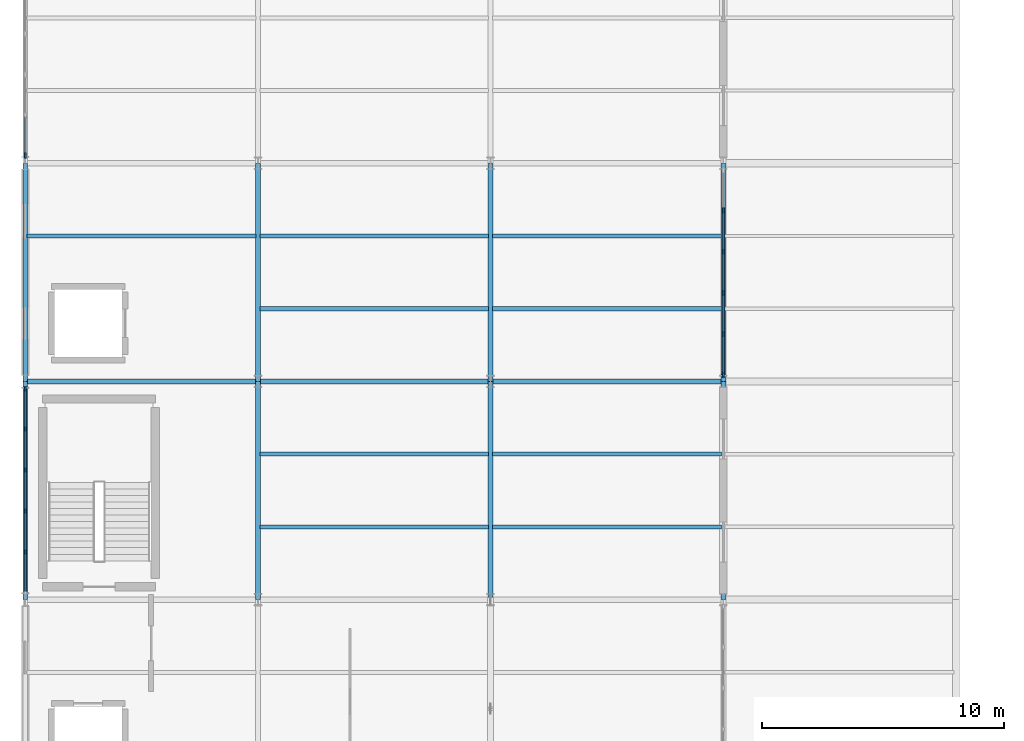
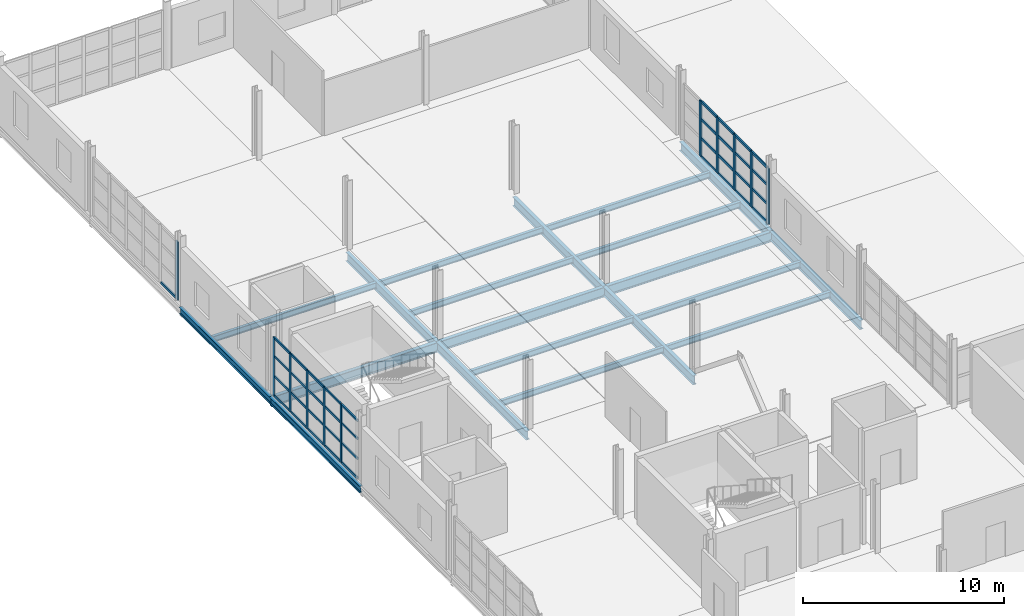
# One storey, part 20 of 82: 48 members, 20 beams, 3 elements without a shape of their own.
"""IFC4 building model written with IfcOpenShell, lengths in metres."""

import ifcopenshell
import ifcopenshell.guid

model = None  # the IFC model being written
_history = None  # IfcOwnerHistory: only IFC2X3 demands one
_inside = {}  # id of a spatial element -> (the spatial element, [elements in it])
_under = {}  # id of a project, library or spatial element -> (it, [spatial elements below it])
_declared = {}  # id of a project -> (the project, [libraries it declares])
_typed = {}  # id of a type object -> (the type object, [elements of that type])
_made_of = {}  # id of a material, layer set ... -> (it, [elements and type objects made of it])


def new_model(schema):
    """Start an empty IFC model of exactly this schema.

    Asked for "IFC4X3", IfcOpenShell would pick the latest addendum, in which some entities
    have other attributes; the version numbers below select the first issue.
    IFC2X3 requires an IfcOwnerHistory on every rooted entity: one is made here for all.
    """
    global model, _history
    if schema == "IFC4X3":
        model = ifcopenshell.file(schema_version=(4, 3, 0, 0))
    else:
        model = ifcopenshell.file(schema=schema)
    _inside.clear()
    _under.clear()
    _declared.clear()
    _typed.clear()
    _made_of.clear()
    _history = None
    if model.schema == "IFC2X3":
        org = make("IfcOrganization", Name="unknown")
        user = make(
            "IfcPersonAndOrganization",
            ThePerson=make("IfcPerson", FamilyName="unknown"),
            TheOrganization=org,
        )
        app = make(
            "IfcApplication",
            ApplicationDeveloper=org,
            Version="unknown",
            ApplicationFullName="unknown",
            ApplicationIdentifier="unknown",
        )
        _history = make(
            "IfcOwnerHistory",
            OwningUser=user,
            OwningApplication=app,
            ChangeAction="ADDED",
            CreationDate=0,
        )
    return model


def make(cls, **values):
    """One entity of the class cls with the attributes given. An attribute that is None is left unset."""
    return model.create_entity(
        cls, **{name: value for name, value in values.items() if value is not None}
    )


def rooted(cls, **values):
    """An entity with a GlobalId (a new one), such as an element, a storey or a relation."""
    return make(cls, GlobalId=ifcopenshell.guid.new(), OwnerHistory=_history, **values)


def si_unit(unit_type, name, prefix=None):
    """IfcSIUnit, for example si_unit("LENGTHUNIT", "METRE", prefix="MILLI")."""
    return make("IfcSIUnit", UnitType=unit_type, Prefix=prefix, Name=name)


def assignment(units):
    """IfcUnitAssignment: the units of a project."""
    return None if units is None else make("IfcUnitAssignment", Units=units)


def point(xyz):
    """IfcCartesianPoint."""
    return None if xyz is None else make("IfcCartesianPoint", Coordinates=xyz)


def direction(xyz):
    """IfcDirection."""
    return None if xyz is None else make("IfcDirection", DirectionRatios=xyz)


def frame(location, z_axis=None, x_axis=None):
    """IfcAxis2Placement3D, a coordinate frame: its origin and axes. An axis left out is left unset."""
    return make(
        "IfcAxis2Placement3D",
        Location=point(location),
        Axis=direction(z_axis),
        RefDirection=direction(x_axis),
    )


def frame_2d(location, x_axis=None):
    """IfcAxis2Placement2D, a coordinate frame in the plane: its origin and x axis."""
    return make(
        "IfcAxis2Placement2D", Location=point(location), RefDirection=direction(x_axis)
    )


def origin():
    """The frame at (0, 0, 0) with its axes left unset."""
    return frame((0.0, 0.0, 0.0))


def origin_2d():
    """The frame at (0, 0) in the plane with its x axis left unset."""
    return frame_2d((0.0, 0.0))


def place(relative_to, where):
    """IfcLocalPlacement: puts the frame where relative to a parent placement (None: the world)."""
    return make(
        "IfcLocalPlacement", PlacementRelTo=relative_to, RelativePlacement=where
    )


def context(
    kind, dimensions, precision=None, world=None, true_north=None, identifier=None
):
    """IfcGeometricRepresentationContext, for example the 3D "Model" context."""
    return make(
        "IfcGeometricRepresentationContext",
        ContextIdentifier=identifier,
        ContextType=kind,
        CoordinateSpaceDimension=dimensions,
        Precision=precision,
        WorldCoordinateSystem=world,
        TrueNorth=true_north,
    )


def subcontext(parent, identifier, kind, view, scale=None):
    """IfcGeometricRepresentationSubContext, for example "Body" below "Model"."""
    return make(
        "IfcGeometricRepresentationSubContext",
        ContextIdentifier=identifier,
        ContextType=kind,
        ParentContext=parent,
        TargetScale=scale,
        TargetView=view,
    )


def project(units=None, contexts=None):
    """IfcProject with its units and contexts."""
    return rooted(
        "IfcProject",
        Name="project",
        RepresentationContexts=contexts,
        UnitsInContext=assignment(units),
    )


def spatial(cls, under=None, at=None, **own):
    """A site, building, storey or space (cls), placed at a placement, below another one or the project."""
    s = rooted(cls, ObjectPlacement=at, **own)
    if under is not None:
        _under.setdefault(under.id(), (under, []))[1].append(s)
    return s


def profile(cls, at=None, kind="AREA", **sizes):
    """A parametric profile (cls). Its sizes go by their IFC names, for example OverallWidth=200.0."""
    return make(cls, ProfileType=kind, Position=at, **sizes)


def rectangle(**sizes):
    """IfcRectangleProfileDef."""
    return profile("IfcRectangleProfileDef", **sizes)


def i_section(**sizes):
    """IfcIShapeProfileDef."""
    return profile("IfcIShapeProfileDef", **sizes)


def extrude(swept, where, along, depth):
    """IfcExtrudedAreaSolid: the profile swept, set in the frame where, extruded along a direction by depth."""
    return make(
        "IfcExtrudedAreaSolid",
        SweptArea=swept,
        Position=where,
        ExtrudedDirection=direction(along),
        Depth=depth,
    )


def shape(context_of_items, identifier, shape_type, items):
    """IfcShapeRepresentation: the items that make up one representation, for example the "Body"."""
    return make(
        "IfcShapeRepresentation",
        ContextOfItems=context_of_items,
        RepresentationIdentifier=identifier,
        RepresentationType=shape_type,
        Items=items,
    )


def material(Name=None, Category=None):
    """IfcMaterial."""
    return make("IfcMaterial", Name=Name, Category=Category)


def layer(
    of_material, thickness, ventilated=None, Name=None, Category=None, Priority=None
):
    """IfcMaterialLayer: one layer of a wall or slab, of a material (None: an air gap)."""
    return make(
        "IfcMaterialLayer",
        Material=of_material,
        LayerThickness=thickness,
        IsVentilated=ventilated,
        Name=Name,
        Category=Category,
        Priority=Priority,
    )


def layer_set(layers, Name=None):
    """IfcMaterialLayerSet."""
    return make("IfcMaterialLayerSet", MaterialLayers=layers, LayerSetName=Name)


def material_profile(
    of_material, cross_section, Name=None, Category=None, Priority=None
):
    """IfcMaterialProfile: a cross section and its material."""
    return make(
        "IfcMaterialProfile",
        Name=Name,
        Material=of_material,
        Profile=cross_section,
        Priority=Priority,
        Category=Category,
    )


def profile_set(profiles, Name=None, composite=None):
    """IfcMaterialProfileSet."""
    return make(
        "IfcMaterialProfileSet",
        Name=Name,
        MaterialProfiles=profiles,
        CompositeProfile=composite,
    )


def made_of(thing, what):
    """Note that an element or type object is made of a material, layer set ...; save() writes the relation."""
    if what is not None:
        _made_of.setdefault(what.id(), (what, []))[1].append(thing)
    return thing


def type_object(cls, material=None, **own):
    """A type object (cls), such as IfcWallType, which elements share."""
    return made_of(rooted(cls, **own), material)


def element(
    cls,
    number,
    at=None,
    inside=None,
    cuts=None,
    type_object=None,
    material=None,
    context=None,
    identifier="Body",
    shape_type=None,
    held_by="IfcProductDefinitionShape",
    body=None,
    shapes=None,
    **own,
):
    """One element of the class cls, such as IfcWall. Its Tag is "e" and its number.

    at: its placement. inside: the storey or other place that contains it. cuts: it is an
    opening in that element (IfcRelVoidsElement). A single representation is given by context,
    identifier, shape_type and body (its items); several are given by shapes. held_by: the class
    of the entity that holds the representations. save() writes the other relations.
    """
    e = rooted(cls, Tag="e%d" % number, ObjectPlacement=at, **own)
    if body is not None:
        shapes = [shape(context, identifier, shape_type, body)]
    if shapes is not None:
        e.Representation = make(held_by, Representations=shapes)
    if inside is not None:
        _inside.setdefault(inside.id(), (inside, []))[1].append(e)
    if cuts is not None:
        rooted(
            "IfcRelVoidsElement", RelatingBuildingElement=cuts, RelatedOpeningElement=e
        )
    if type_object is not None:
        _typed.setdefault(type_object.id(), (type_object, []))[1].append(e)
    return made_of(e, material)


def aggregate(whole, parts):
    """IfcRelAggregates: a whole, such as a stair, and the parts it consists of."""
    return rooted("IfcRelAggregates", RelatingObject=whole, RelatedObjects=parts)


def save(model, path):
    """Write the relations noted so far, then the file.

    IfcRelAggregates (storeys below a building ...), IfcRelContainedInSpatialStructure (elements
    in a storey), IfcRelDefinesByType, IfcRelAssociatesMaterial and IfcRelDeclares: one each for
    every whole, place, type object, material and project.
    """
    for whole, parts in _under.values():
        aggregate(whole, parts)
    for where, things in _inside.values():
        rooted(
            "IfcRelContainedInSpatialStructure",
            RelatedElements=things,
            RelatingStructure=where,
        )
    for kind, things in _typed.values():
        rooted("IfcRelDefinesByType", RelatedObjects=things, RelatingType=kind)
    for what, things in _made_of.values():
        rooted("IfcRelAssociatesMaterial", RelatedObjects=things, RelatingMaterial=what)
    for by, libraries in _declared.values():
        rooted("IfcRelDeclares", RelatingContext=by, RelatedDefinitions=libraries)
    model.write(path)


model = new_model("IFC4")

# Units and contexts
model_context = context("Model", 3, precision=1e-05, world=origin(), true_north=direction((0.0, 1.0)))
body_context = subcontext(model_context, "Body", "Model", "MODEL_VIEW")
ifc_project = project(units=[si_unit("LENGTHUNIT", "METRE"), si_unit("AREAUNIT", "SQUARE_METRE"), si_unit("VOLUMEUNIT", "CUBIC_METRE"), si_unit("PLANEANGLEUNIT", "RADIAN"), si_unit("MASSUNIT", "GRAM", prefix="KILO")], contexts=[model_context])

# Site, building, storey
site_placement = place(None, origin())
site = spatial("IfcSite", under=ifc_project, at=site_placement, CompositionType="ELEMENT")
building_placement = place(site_placement, origin())
building = spatial("IfcBuilding", under=site, at=building_placement, Name="Zarnetskaya Central Station", CompositionType="ELEMENT")
storey_placement = place(building_placement, frame((0.0, 0.0, 10.199951171875)))
storey = spatial("IfcBuildingStorey", under=building, at=storey_placement, Name="L02", CompositionType="ELEMENT", Elevation=10.199951171875)

# Beams
ifc_material_1 = material(Name="Steel S355", Category="steel")
ifc_material_profile_1 = material_profile(ifc_material_1, i_section(OverallWidth=0.169921875, OverallDepth=0.360107421875, WebThickness=0.008056640625, FlangeThickness=0.0126953125, FilletRadius=0.01806640625, at=origin_2d()), Name="IPE 360")
ifc_profile_set_1 = profile_set([ifc_material_profile_1], Name="Steel S355")
beam_type_1 = type_object("IfcBeamType", Name="BM-SEC-360", PredefinedType="BEAM", material=ifc_profile_set_1)
beam_1_placement = place(storey_placement, frame((0.080078125, 46.199951171875, -0.43994140625), z_axis=(1.0, 0.0, 0.0), x_axis=(0.0, 1.0, 0.0)))
element("IfcBeam", 1, at=beam_1_placement, inside=storey, type_object=beam_type_1, Name="Secondary floor beam SEC-L02-Z994-AB-67-2", PredefinedType="BEAM", context=body_context, shape_type="SweptSolid", body=[
    extrude(i_section(OverallWidth=0.169921875, OverallDepth=0.360107421875, WebThickness=0.008056640625, FlangeThickness=0.0126953125, FilletRadius=0.01806640625, at=origin_2d()), origin(), (0.0, 0.0, 1.0), 9.43994140625),
])
for number, where, z_axis, x_axis, name in (
    (2, (9.679931640625, 34.199951171875, -0.43994140625), (1.0, 0.0, 0.0), (0.0, 1.0, 0.0), "Secondary floor beam SEC-L02-Z994-BC-56-1"),
    (3, (9.679931640625, 37.199951171875, -0.43994140625), (1.0, 0.0, 0.0), (0.0, 1.0, 0.0), "Secondary floor beam SEC-L02-Z994-BC-56-2"),
    (4, (9.679931640625, 43.199951171875, -0.43994140625), (1.0, 0.0, 0.0), (0.0, 1.0, 0.0), "Secondary floor beam SEC-L02-Z994-BC-67-1"),
    (5, (9.679931640625, 46.199951171875, -0.43994140625), (1.0, 0.0, 0.0), (0.0, 1.0, 0.0), "Secondary floor beam SEC-L02-Z994-BC-67-2"),
):
    element("IfcBeam", number, at=place(storey_placement, frame(where, z_axis=z_axis, x_axis=x_axis)), inside=storey, type_object=beam_type_1, Name=name, PredefinedType="BEAM", context=body_context, shape_type="SweptSolid", body=[
        extrude(i_section(OverallWidth=0.169921875, OverallDepth=0.360107421875, WebThickness=0.008056640625, FlangeThickness=0.0126953125, FilletRadius=0.01806640625, at=origin_2d()), origin(), (0.0, 0.0, 1.0), 9.440185546875),
    ])
for number, where, z_axis, x_axis, name in (
    (6, (19.280029296875, 34.199951171875, -0.43994140625), (1.0, 0.0, 0.0), (0.0, 1.0, 0.0), "Secondary floor beam SEC-L02-Z994-CD-56-1"),
    (7, (19.280029296875, 37.199951171875, -0.43994140625), (1.0, 0.0, 0.0), (0.0, 1.0, 0.0), "Secondary floor beam SEC-L02-Z994-CD-56-2"),
    (8, (19.280029296875, 43.199951171875, -0.43994140625), (1.0, 0.0, 0.0), (0.0, 1.0, 0.0), "Secondary floor beam SEC-L02-Z994-CD-67-1"),
    (9, (19.280029296875, 46.199951171875, -0.43994140625), (1.0, 0.0, 0.0), (0.0, 1.0, 0.0), "Secondary floor beam SEC-L02-Z994-CD-67-2"),
):
    element("IfcBeam", number, at=place(storey_placement, frame(where, z_axis=z_axis, x_axis=x_axis)), inside=storey, type_object=beam_type_1, Name=name, PredefinedType="BEAM", context=body_context, shape_type="SweptSolid", body=[
        extrude(i_section(OverallWidth=0.169921875, OverallDepth=0.360107421875, WebThickness=0.008056640625, FlangeThickness=0.0126953125, FilletRadius=0.01806640625, at=origin_2d()), origin(), (0.0, 0.0, 1.0), 9.43994140625),
    ])
ifc_material_profile_2 = material_profile(ifc_material_1, i_section(OverallWidth=0.179931640625, OverallDepth=0.39990234375, WebThickness=0.008544921875, FlangeThickness=0.013427734375, FilletRadius=0.02099609375, at=origin_2d()), Name="IPE 400")
ifc_profile_set_2 = profile_set([ifc_material_profile_2], Name="Steel S355")
beam_type_2 = type_object("IfcBeamType", Name="BM-SPN-V5", PredefinedType="SPANDREL", material=ifc_profile_set_2)
for number, where, z_axis, x_axis, name in (
    (10, (0.0, 31.199951171875, -0.4599609375), (0.0, 1.0, 0.0), (-1.0, 0.0, 0.0), "Grid girder GY-L02-A-56"),
    (11, (0.0, 40.199951171875, -0.4599609375), (0.0, 1.0, 0.0), (-1.0, 0.0, 0.0), "Grid girder GY-L02-A-67"),
):
    element("IfcBeam", number, at=place(storey_placement, frame(where, z_axis=z_axis, x_axis=x_axis)), inside=storey, type_object=beam_type_2, Name=name, PredefinedType="SPANDREL", context=body_context, shape_type="SweptSolid", body=[
        extrude(i_section(OverallWidth=0.179931640625, OverallDepth=0.39990234375, WebThickness=0.008544921875, FlangeThickness=0.013427734375, FilletRadius=0.02099609375, at=origin_2d()), origin(), (0.0, 0.0, 1.0), 9.0),
    ])

# Curtain wall, members
ifc_material_2 = material(Name="Low-E insulated glass", Category="glass")
ifc_layer_1 = layer(ifc_material_2, 0.16796875, Name="Low-E insulated glass", Category="glass")
ifc_layer_set_1 = layer_set([ifc_layer_1], Name="Low-E insulated glass")
curtain_wall_type_1 = type_object("IfcCurtainWallType", Name="CW-SYS-08", PredefinedType="USERDEFINED", material=ifc_layer_set_1)
curtain_wall_1_placement = place(storey_placement, origin())
curtain_wall_1 = element("IfcCurtainWall", 12, at=curtain_wall_1_placement, inside=storey, type_object=curtain_wall_type_1, Name="Curtain wall CW-L02-017", ObjectType="CURTAIN WALL", PredefinedType="USERDEFINED")
ifc_material_3 = material(Name="Anodised aluminium", Category="aluminium")
ifc_material_profile_3 = material_profile(ifc_material_3, rectangle(XDim=0.070068359375, YDim=0.179931640625, at=origin_2d()), Name="ALU MULL 70x180")
ifc_profile_set_3 = profile_set([ifc_material_profile_3], Name="Anodised aluminium")
member_type_1 = type_object("IfcMemberType", Name="CW-MULL-180", PredefinedType="MULLION", material=ifc_profile_set_3)
member_1_placement = place(storey_placement, frame((0.0, 33.1650390625, 0.0), z_axis=(0.0, 0.0, 1.0), x_axis=(-1.0, 0.0, 0.0)))
member_1 = element("IfcMember", 13, at=member_1_placement, type_object=member_type_1, Name="CW-16 mullion 2", PredefinedType="MULLION", context=body_context, shape_type="SweptSolid", body=[
    extrude(rectangle(XDim=0.070068359375, YDim=0.179931640625, at=origin_2d()), origin(), (0.0, 0.0, 1.0), 3.550048828125),
])
member_2_placement = place(storey_placement, frame((0.0, 34.85498046875, 0.0), z_axis=(0.0, 0.0, 1.0), x_axis=(-1.0, 0.0, 0.0)))
member_2 = element("IfcMember", 14, at=member_2_placement, type_object=member_type_1, Name="CW-16 mullion 3", PredefinedType="MULLION", context=body_context, shape_type="SweptSolid", body=[
    extrude(rectangle(XDim=0.070068359375, YDim=0.179931640625, at=origin_2d()), origin(), (0.0, 0.0, 1.0), 3.550048828125),
])
member_3_placement = place(storey_placement, frame((0.0, 36.544921875, 0.0), z_axis=(0.0, 0.0, 1.0), x_axis=(-1.0, 0.0, 0.0)))
member_3 = element("IfcMember", 15, at=member_3_placement, type_object=member_type_1, Name="CW-16 mullion 4", PredefinedType="MULLION", context=body_context, shape_type="SweptSolid", body=[
    extrude(rectangle(XDim=0.070068359375, YDim=0.179931640625, at=origin_2d()), origin(), (0.0, 0.0, 1.0), 3.550048828125),
])
member_4_placement = place(storey_placement, frame((0.0, 38.235107421875, 0.0), z_axis=(0.0, 0.0, 1.0), x_axis=(-1.0, 0.0, 0.0)))
member_4 = element("IfcMember", 16, at=member_4_placement, type_object=member_type_1, Name="CW-16 mullion 5", PredefinedType="MULLION", context=body_context, shape_type="SweptSolid", body=[
    extrude(rectangle(XDim=0.070068359375, YDim=0.179931640625, at=origin_2d()), origin(), (0.0, 0.0, 1.0), 3.550048828125),
])
member_5_placement = place(storey_placement, frame((0.0, 39.889892578125, 0.0), z_axis=(0.0, 0.0, 1.0), x_axis=(-1.0, 0.0, 0.0)))
member_5 = element("IfcMember", 17, at=member_5_placement, type_object=member_type_1, Name="CW-16 mullion 6", PredefinedType="MULLION", context=body_context, shape_type="SweptSolid", body=[
    extrude(rectangle(XDim=0.070068359375, YDim=0.179931640625, at=origin_2d()), origin(), (0.0, 0.0, 1.0), 3.550048828125),
])

# Curtain wall, member
ifc_layer_2 = layer(ifc_material_2, 0.176025390625, Name="Low-E insulated glass", Category="glass")
ifc_layer_set_2 = layer_set([ifc_layer_2], Name="Low-E insulated glass")
curtain_wall_type_2 = type_object("IfcCurtainWallType", Name="CW-SYS-10", PredefinedType="USERDEFINED", material=ifc_layer_set_2)
curtain_wall_2_placement = place(storey_placement, origin())
curtain_wall_2 = element("IfcCurtainWall", 18, at=curtain_wall_2_placement, inside=storey, type_object=curtain_wall_type_2, Name="Curtain wall CW-L02-018", ObjectType="CURTAIN WALL", PredefinedType="USERDEFINED")
ifc_material_profile_4 = material_profile(ifc_material_3, rectangle(XDim=0.080078125, YDim=0.219970703125, at=origin_2d()), Name="ALU MULL 80x220")
ifc_profile_set_4 = profile_set([ifc_material_profile_4], Name="Anodised aluminium")
member_type_2 = type_object("IfcMemberType", Name="CW-MULL-220", PredefinedType="MULLION", material=ifc_profile_set_4)
member_6_placement = place(storey_placement, frame((0.0, 49.514892578125, 0.0), z_axis=(0.0, 0.0, 1.0), x_axis=(-1.0, 0.0, 0.0)))
member_6 = element("IfcMember", 19, at=member_6_placement, type_object=member_type_2, Name="CW-13 mullion 1", PredefinedType="MULLION", context=body_context, shape_type="SweptSolid", body=[
    extrude(rectangle(XDim=0.080078125, YDim=0.219970703125, at=origin_2d()), origin(), (0.0, 0.0, 1.0), 3.550048828125),
])

# Curtain wall, members
ifc_layer_3 = layer(ifc_material_2, 0.159912109375, Name="Low-E insulated glass", Category="glass")
ifc_layer_set_3 = layer_set([ifc_layer_3], Name="Low-E insulated glass")
curtain_wall_type_3 = type_object("IfcCurtainWallType", Name="CW-SYS-06", PredefinedType="USERDEFINED", material=ifc_layer_set_3)
curtain_wall_3_placement = place(storey_placement, origin())
curtain_wall_3 = element("IfcCurtainWall", 20, at=curtain_wall_3_placement, inside=storey, type_object=curtain_wall_type_3, Name="Curtain wall CW-L02-022", ObjectType="CURTAIN WALL", PredefinedType="USERDEFINED")
member_7_placement = place(storey_placement, frame((28.800048828125, 47.25, 0.0), z_axis=(0.0, 0.0, 1.0), x_axis=(1.0, 0.0, 0.0)))
member_7 = element("IfcMember", 21, at=member_7_placement, type_object=member_type_2, Name="CW-02 mullion 2", PredefinedType="MULLION", context=body_context, shape_type="SweptSolid", body=[
    extrude(rectangle(XDim=0.080078125, YDim=0.219970703125, at=origin_2d()), origin(), (0.0, 0.0, 1.0), 3.400146484375),
])
member_8_placement = place(storey_placement, frame((28.800048828125, 45.550048828125, 0.0), z_axis=(0.0, 0.0, 1.0), x_axis=(1.0, 0.0, 0.0)))
member_8 = element("IfcMember", 22, at=member_8_placement, type_object=member_type_2, Name="CW-02 mullion 3", PredefinedType="MULLION", context=body_context, shape_type="SweptSolid", body=[
    extrude(rectangle(XDim=0.080078125, YDim=0.219970703125, at=origin_2d()), origin(), (0.0, 0.0, 1.0), 3.400146484375),
])
member_9_placement = place(storey_placement, frame((28.800048828125, 43.85009765625, 0.0), z_axis=(0.0, 0.0, 1.0), x_axis=(1.0, 0.0, 0.0)))
member_9 = element("IfcMember", 23, at=member_9_placement, type_object=member_type_2, Name="CW-02 mullion 4", PredefinedType="MULLION", context=body_context, shape_type="SweptSolid", body=[
    extrude(rectangle(XDim=0.080078125, YDim=0.219970703125, at=origin_2d()), origin(), (0.0, 0.0, 1.0), 3.400146484375),
])
member_10_placement = place(storey_placement, frame((28.800048828125, 42.14990234375, 0.0), z_axis=(0.0, 0.0, 1.0), x_axis=(1.0, 0.0, 0.0)))
member_10 = element("IfcMember", 24, at=member_10_placement, type_object=member_type_2, Name="CW-02 mullion 5", PredefinedType="MULLION", context=body_context, shape_type="SweptSolid", body=[
    extrude(rectangle(XDim=0.080078125, YDim=0.219970703125, at=origin_2d()), origin(), (0.0, 0.0, 1.0), 3.400146484375),
])
member_11_placement = place(storey_placement, frame((28.800048828125, 40.489990234375, 0.0), z_axis=(0.0, 0.0, 1.0), x_axis=(1.0, 0.0, 0.0)))
member_11 = element("IfcMember", 25, at=member_11_placement, type_object=member_type_2, Name="CW-02 mullion 6", PredefinedType="MULLION", context=body_context, shape_type="SweptSolid", body=[
    extrude(rectangle(XDim=0.080078125, YDim=0.219970703125, at=origin_2d()), origin(), (0.0, 0.0, 1.0), 3.400146484375),
])

# Member
ifc_material_profile_5 = material_profile(ifc_material_3, rectangle(XDim=0.070068359375, YDim=0.139892578125, at=origin_2d()), Name="ALU TRAN 70x140")
ifc_profile_set_5 = profile_set([ifc_material_profile_5], Name="Anodised aluminium")
member_type_3 = type_object("IfcMemberType", Name="CW-TRAN-140", PredefinedType="USERDEFINED", material=ifc_profile_set_5)
member_12_placement = place(storey_placement, frame((0.0, 31.544921875, 0.03515625), z_axis=(0.0, 1.0, 0.0), x_axis=(-1.0, 0.0, 0.0)))
member_12 = element("IfcMember", 26, at=member_12_placement, type_object=member_type_3, Name="CW-16 transom 1.1", ObjectType="TRANSOM", PredefinedType="USERDEFINED", context=body_context, shape_type="SweptSolid", body=[
    extrude(rectangle(XDim=0.070068359375, YDim=0.139892578125, at=origin_2d()), origin(), (0.0, 0.0, 1.0), 1.5849609375),
])

member_13_placement = place(storey_placement, frame((0.0, 31.544921875, 1.20703125), z_axis=(0.0, 1.0, 0.0), x_axis=(-1.0, 0.0, 0.0)))
member_13 = element("IfcMember", 27, at=member_13_placement, type_object=member_type_3, Name="CW-16 transom 1.2", ObjectType="TRANSOM", PredefinedType="USERDEFINED", context=body_context, shape_type="SweptSolid", body=[
    extrude(rectangle(XDim=0.070068359375, YDim=0.139892578125, at=origin_2d()), origin(), (0.0, 0.0, 1.0), 1.5849609375),
])

member_14_placement = place(storey_placement, frame((0.0, 31.544921875, 2.4140625), z_axis=(0.0, 1.0, 0.0), x_axis=(-1.0, 0.0, 0.0)))
member_14 = element("IfcMember", 28, at=member_14_placement, type_object=member_type_3, Name="CW-16 transom 1.3", ObjectType="TRANSOM", PredefinedType="USERDEFINED", context=body_context, shape_type="SweptSolid", body=[
    extrude(rectangle(XDim=0.070068359375, YDim=0.139892578125, at=origin_2d()), origin(), (0.0, 0.0, 1.0), 1.5849609375),
])

member_15_placement = place(storey_placement, frame((0.0, 31.544921875, 3.51513671875), z_axis=(0.0, 1.0, 0.0), x_axis=(-1.0, 0.0, 0.0)))
member_15 = element("IfcMember", 29, at=member_15_placement, type_object=member_type_3, Name="CW-16 transom 1.4", ObjectType="TRANSOM", PredefinedType="USERDEFINED", context=body_context, shape_type="SweptSolid", body=[
    extrude(rectangle(XDim=0.070068359375, YDim=0.139892578125, at=origin_2d()), origin(), (0.0, 0.0, 1.0), 1.5849609375),
])

member_16_placement = place(storey_placement, frame((0.0, 33.199951171875, 0.03515625), z_axis=(0.0, 1.0, 0.0), x_axis=(-1.0, 0.0, 0.0)))
member_16 = element("IfcMember", 30, at=member_16_placement, type_object=member_type_3, Name="CW-16 transom 2.1", ObjectType="TRANSOM", PredefinedType="USERDEFINED", context=body_context, shape_type="SweptSolid", body=[
    extrude(rectangle(XDim=0.070068359375, YDim=0.139892578125, at=origin_2d()), origin(), (0.0, 0.0, 1.0), 1.6201171875),
])

member_17_placement = place(storey_placement, frame((0.0, 33.199951171875, 1.20703125), z_axis=(0.0, 1.0, 0.0), x_axis=(-1.0, 0.0, 0.0)))
member_17 = element("IfcMember", 31, at=member_17_placement, type_object=member_type_3, Name="CW-16 transom 2.2", ObjectType="TRANSOM", PredefinedType="USERDEFINED", context=body_context, shape_type="SweptSolid", body=[
    extrude(rectangle(XDim=0.070068359375, YDim=0.139892578125, at=origin_2d()), origin(), (0.0, 0.0, 1.0), 1.6201171875),
])

member_18_placement = place(storey_placement, frame((0.0, 33.199951171875, 2.4140625), z_axis=(0.0, 1.0, 0.0), x_axis=(-1.0, 0.0, 0.0)))
member_18 = element("IfcMember", 32, at=member_18_placement, type_object=member_type_3, Name="CW-16 transom 2.3", ObjectType="TRANSOM", PredefinedType="USERDEFINED", context=body_context, shape_type="SweptSolid", body=[
    extrude(rectangle(XDim=0.070068359375, YDim=0.139892578125, at=origin_2d()), origin(), (0.0, 0.0, 1.0), 1.6201171875),
])

member_19_placement = place(storey_placement, frame((0.0, 33.199951171875, 3.51513671875), z_axis=(0.0, 1.0, 0.0), x_axis=(-1.0, 0.0, 0.0)))
member_19 = element("IfcMember", 33, at=member_19_placement, type_object=member_type_3, Name="CW-16 transom 2.4", ObjectType="TRANSOM", PredefinedType="USERDEFINED", context=body_context, shape_type="SweptSolid", body=[
    extrude(rectangle(XDim=0.070068359375, YDim=0.139892578125, at=origin_2d()), origin(), (0.0, 0.0, 1.0), 1.6201171875),
])

member_20_placement = place(storey_placement, frame((0.0, 34.889892578125, 0.03515625), z_axis=(0.0, 1.0, 0.0), x_axis=(-1.0, 0.0, 0.0)))
member_20 = element("IfcMember", 34, at=member_20_placement, type_object=member_type_3, Name="CW-16 transom 3.1", ObjectType="TRANSOM", PredefinedType="USERDEFINED", context=body_context, shape_type="SweptSolid", body=[
    extrude(rectangle(XDim=0.070068359375, YDim=0.139892578125, at=origin_2d()), origin(), (0.0, 0.0, 1.0), 1.6201171875),
])

member_21_placement = place(storey_placement, frame((0.0, 34.889892578125, 1.20703125), z_axis=(0.0, 1.0, 0.0), x_axis=(-1.0, 0.0, 0.0)))
member_21 = element("IfcMember", 35, at=member_21_placement, type_object=member_type_3, Name="CW-16 transom 3.2", ObjectType="TRANSOM", PredefinedType="USERDEFINED", context=body_context, shape_type="SweptSolid", body=[
    extrude(rectangle(XDim=0.070068359375, YDim=0.139892578125, at=origin_2d()), origin(), (0.0, 0.0, 1.0), 1.6201171875),
])

member_22_placement = place(storey_placement, frame((0.0, 34.889892578125, 2.4140625), z_axis=(0.0, 1.0, 0.0), x_axis=(-1.0, 0.0, 0.0)))
member_22 = element("IfcMember", 36, at=member_22_placement, type_object=member_type_3, Name="CW-16 transom 3.3", ObjectType="TRANSOM", PredefinedType="USERDEFINED", context=body_context, shape_type="SweptSolid", body=[
    extrude(rectangle(XDim=0.070068359375, YDim=0.139892578125, at=origin_2d()), origin(), (0.0, 0.0, 1.0), 1.6201171875),
])

member_23_placement = place(storey_placement, frame((0.0, 34.889892578125, 3.51513671875), z_axis=(0.0, 1.0, 0.0), x_axis=(-1.0, 0.0, 0.0)))
member_23 = element("IfcMember", 37, at=member_23_placement, type_object=member_type_3, Name="CW-16 transom 3.4", ObjectType="TRANSOM", PredefinedType="USERDEFINED", context=body_context, shape_type="SweptSolid", body=[
    extrude(rectangle(XDim=0.070068359375, YDim=0.139892578125, at=origin_2d()), origin(), (0.0, 0.0, 1.0), 1.6201171875),
])

member_24_placement = place(storey_placement, frame((0.0, 36.580078125, 0.03515625), z_axis=(0.0, 1.0, 0.0), x_axis=(-1.0, 0.0, 0.0)))
member_24 = element("IfcMember", 38, at=member_24_placement, type_object=member_type_3, Name="CW-16 transom 4.1", ObjectType="TRANSOM", PredefinedType="USERDEFINED", context=body_context, shape_type="SweptSolid", body=[
    extrude(rectangle(XDim=0.070068359375, YDim=0.139892578125, at=origin_2d()), origin(), (0.0, 0.0, 1.0), 1.619873046875),
])

member_25_placement = place(storey_placement, frame((0.0, 36.580078125, 1.20703125), z_axis=(0.0, 1.0, 0.0), x_axis=(-1.0, 0.0, 0.0)))
member_25 = element("IfcMember", 39, at=member_25_placement, type_object=member_type_3, Name="CW-16 transom 4.2", ObjectType="TRANSOM", PredefinedType="USERDEFINED", context=body_context, shape_type="SweptSolid", body=[
    extrude(rectangle(XDim=0.070068359375, YDim=0.139892578125, at=origin_2d()), origin(), (0.0, 0.0, 1.0), 1.619873046875),
])

member_26_placement = place(storey_placement, frame((0.0, 36.580078125, 2.4140625), z_axis=(0.0, 1.0, 0.0), x_axis=(-1.0, 0.0, 0.0)))
member_26 = element("IfcMember", 40, at=member_26_placement, type_object=member_type_3, Name="CW-16 transom 4.3", ObjectType="TRANSOM", PredefinedType="USERDEFINED", context=body_context, shape_type="SweptSolid", body=[
    extrude(rectangle(XDim=0.070068359375, YDim=0.139892578125, at=origin_2d()), origin(), (0.0, 0.0, 1.0), 1.619873046875),
])

member_27_placement = place(storey_placement, frame((0.0, 36.580078125, 3.51513671875), z_axis=(0.0, 1.0, 0.0), x_axis=(-1.0, 0.0, 0.0)))
member_27 = element("IfcMember", 41, at=member_27_placement, type_object=member_type_3, Name="CW-16 transom 4.4", ObjectType="TRANSOM", PredefinedType="USERDEFINED", context=body_context, shape_type="SweptSolid", body=[
    extrude(rectangle(XDim=0.070068359375, YDim=0.139892578125, at=origin_2d()), origin(), (0.0, 0.0, 1.0), 1.619873046875),
])

member_28_placement = place(storey_placement, frame((0.0, 38.27001953125, 0.03515625), z_axis=(0.0, 1.0, 0.0), x_axis=(-1.0, 0.0, 0.0)))
member_28 = element("IfcMember", 42, at=member_28_placement, type_object=member_type_3, Name="CW-16 transom 5.1", ObjectType="TRANSOM", PredefinedType="USERDEFINED", context=body_context, shape_type="SweptSolid", body=[
    extrude(rectangle(XDim=0.070068359375, YDim=0.139892578125, at=origin_2d()), origin(), (0.0, 0.0, 1.0), 1.5849609375),
])

member_29_placement = place(storey_placement, frame((0.0, 38.27001953125, 1.20703125), z_axis=(0.0, 1.0, 0.0), x_axis=(-1.0, 0.0, 0.0)))
member_29 = element("IfcMember", 43, at=member_29_placement, type_object=member_type_3, Name="CW-16 transom 5.2", ObjectType="TRANSOM", PredefinedType="USERDEFINED", context=body_context, shape_type="SweptSolid", body=[
    extrude(rectangle(XDim=0.070068359375, YDim=0.139892578125, at=origin_2d()), origin(), (0.0, 0.0, 1.0), 1.5849609375),
])

member_30_placement = place(storey_placement, frame((0.0, 38.27001953125, 2.4140625), z_axis=(0.0, 1.0, 0.0), x_axis=(-1.0, 0.0, 0.0)))
member_30 = element("IfcMember", 44, at=member_30_placement, type_object=member_type_3, Name="CW-16 transom 5.3", ObjectType="TRANSOM", PredefinedType="USERDEFINED", context=body_context, shape_type="SweptSolid", body=[
    extrude(rectangle(XDim=0.070068359375, YDim=0.139892578125, at=origin_2d()), origin(), (0.0, 0.0, 1.0), 1.5849609375),
])

member_31_placement = place(storey_placement, frame((0.0, 38.27001953125, 3.51513671875), z_axis=(0.0, 1.0, 0.0), x_axis=(-1.0, 0.0, 0.0)))
member_31 = element("IfcMember", 45, at=member_31_placement, type_object=member_type_3, Name="CW-16 transom 5.4", ObjectType="TRANSOM", PredefinedType="USERDEFINED", context=body_context, shape_type="SweptSolid", body=[
    extrude(rectangle(XDim=0.070068359375, YDim=0.139892578125, at=origin_2d()), origin(), (0.0, 0.0, 1.0), 1.5849609375),
])

aggregate(curtain_wall_1, [member_1, member_2, member_3, member_4, member_5, member_12, member_13, member_14, member_15, member_16, member_17, member_18, member_19, member_20, member_21, member_22, member_23, member_24, member_25, member_26, member_27, member_28, member_29, member_30, member_31])

ifc_material_profile_6 = material_profile(ifc_material_3, rectangle(XDim=0.080078125, YDim=0.159912109375, at=origin_2d()), Name="ALU TRAN 80x160")
ifc_profile_set_6 = profile_set([ifc_material_profile_6], Name="Anodised aluminium")
member_type_4 = type_object("IfcMemberType", Name="CW-TRAN-160", PredefinedType="USERDEFINED", material=ifc_profile_set_6)
member_32_placement = place(storey_placement, frame((0.0, 49.554931640625, 0.0400390625), z_axis=(0.0, 1.0, 0.0), x_axis=(-1.0, 0.0, 0.0)))
member_32 = element("IfcMember", 46, at=member_32_placement, type_object=member_type_4, Name="CW-13 transom 1.1", ObjectType="TRANSOM", PredefinedType="USERDEFINED", context=body_context, shape_type="SweptSolid", body=[
    extrude(rectangle(XDim=0.080078125, YDim=0.159912109375, at=origin_2d()), origin(), (0.0, 0.0, 1.0), 1.570068359375),
])

aggregate(curtain_wall_2, [member_6, member_32])

member_33_placement = place(storey_placement, frame((28.800048828125, 47.2099609375, 0.0400390625), z_axis=(0.0, -1.0, 0.0), x_axis=(1.0, 0.0, 0.0)))
member_33 = element("IfcMember", 47, at=member_33_placement, type_object=member_type_4, Name="CW-02 transom 2.1", ObjectType="TRANSOM", PredefinedType="USERDEFINED", context=body_context, shape_type="SweptSolid", body=[
    extrude(rectangle(XDim=0.080078125, YDim=0.159912109375, at=origin_2d()), origin(), (0.0, 0.0, 1.0), 1.619873046875),
])

member_34_placement = place(storey_placement, frame((28.800048828125, 47.2099609375, 1.156005859375), z_axis=(0.0, -1.0, 0.0), x_axis=(1.0, 0.0, 0.0)))
member_34 = element("IfcMember", 48, at=member_34_placement, type_object=member_type_4, Name="CW-02 transom 2.2", ObjectType="TRANSOM", PredefinedType="USERDEFINED", context=body_context, shape_type="SweptSolid", body=[
    extrude(rectangle(XDim=0.080078125, YDim=0.159912109375, at=origin_2d()), origin(), (0.0, 0.0, 1.0), 1.619873046875),
])

member_35_placement = place(storey_placement, frame((28.800048828125, 47.2099609375, 2.31201171875), z_axis=(0.0, -1.0, 0.0), x_axis=(1.0, 0.0, 0.0)))
member_35 = element("IfcMember", 49, at=member_35_placement, type_object=member_type_4, Name="CW-02 transom 2.3", ObjectType="TRANSOM", PredefinedType="USERDEFINED", context=body_context, shape_type="SweptSolid", body=[
    extrude(rectangle(XDim=0.080078125, YDim=0.159912109375, at=origin_2d()), origin(), (0.0, 0.0, 1.0), 1.619873046875),
])

member_36_placement = place(storey_placement, frame((28.800048828125, 47.2099609375, 3.360107421875), z_axis=(0.0, -1.0, 0.0), x_axis=(1.0, 0.0, 0.0)))
member_36 = element("IfcMember", 50, at=member_36_placement, type_object=member_type_4, Name="CW-02 transom 2.4", ObjectType="TRANSOM", PredefinedType="USERDEFINED", context=body_context, shape_type="SweptSolid", body=[
    extrude(rectangle(XDim=0.080078125, YDim=0.159912109375, at=origin_2d()), origin(), (0.0, 0.0, 1.0), 1.619873046875),
])

member_37_placement = place(storey_placement, frame((28.800048828125, 45.510009765625, 0.0400390625), z_axis=(0.0, -1.0, 0.0), x_axis=(1.0, 0.0, 0.0)))
member_37 = element("IfcMember", 51, at=member_37_placement, type_object=member_type_4, Name="CW-02 transom 3.1", ObjectType="TRANSOM", PredefinedType="USERDEFINED", context=body_context, shape_type="SweptSolid", body=[
    extrude(rectangle(XDim=0.080078125, YDim=0.159912109375, at=origin_2d()), origin(), (0.0, 0.0, 1.0), 1.6201171875),
])

member_38_placement = place(storey_placement, frame((28.800048828125, 45.510009765625, 1.156005859375), z_axis=(0.0, -1.0, 0.0), x_axis=(1.0, 0.0, 0.0)))
member_38 = element("IfcMember", 52, at=member_38_placement, type_object=member_type_4, Name="CW-02 transom 3.2", ObjectType="TRANSOM", PredefinedType="USERDEFINED", context=body_context, shape_type="SweptSolid", body=[
    extrude(rectangle(XDim=0.080078125, YDim=0.159912109375, at=origin_2d()), origin(), (0.0, 0.0, 1.0), 1.6201171875),
])

member_39_placement = place(storey_placement, frame((28.800048828125, 45.510009765625, 2.31201171875), z_axis=(0.0, -1.0, 0.0), x_axis=(1.0, 0.0, 0.0)))
member_39 = element("IfcMember", 53, at=member_39_placement, type_object=member_type_4, Name="CW-02 transom 3.3", ObjectType="TRANSOM", PredefinedType="USERDEFINED", context=body_context, shape_type="SweptSolid", body=[
    extrude(rectangle(XDim=0.080078125, YDim=0.159912109375, at=origin_2d()), origin(), (0.0, 0.0, 1.0), 1.6201171875),
])

member_40_placement = place(storey_placement, frame((28.800048828125, 45.510009765625, 3.360107421875), z_axis=(0.0, -1.0, 0.0), x_axis=(1.0, 0.0, 0.0)))
member_40 = element("IfcMember", 54, at=member_40_placement, type_object=member_type_4, Name="CW-02 transom 3.4", ObjectType="TRANSOM", PredefinedType="USERDEFINED", context=body_context, shape_type="SweptSolid", body=[
    extrude(rectangle(XDim=0.080078125, YDim=0.159912109375, at=origin_2d()), origin(), (0.0, 0.0, 1.0), 1.6201171875),
])

member_41_placement = place(storey_placement, frame((28.800048828125, 43.81005859375, 0.0400390625), z_axis=(0.0, -1.0, 0.0), x_axis=(1.0, 0.0, 0.0)))
member_41 = element("IfcMember", 55, at=member_41_placement, type_object=member_type_4, Name="CW-02 transom 4.1", ObjectType="TRANSOM", PredefinedType="USERDEFINED", context=body_context, shape_type="SweptSolid", body=[
    extrude(rectangle(XDim=0.080078125, YDim=0.159912109375, at=origin_2d()), origin(), (0.0, 0.0, 1.0), 1.6201171875),
])

member_42_placement = place(storey_placement, frame((28.800048828125, 43.81005859375, 1.156005859375), z_axis=(0.0, -1.0, 0.0), x_axis=(1.0, 0.0, 0.0)))
member_42 = element("IfcMember", 56, at=member_42_placement, type_object=member_type_4, Name="CW-02 transom 4.2", ObjectType="TRANSOM", PredefinedType="USERDEFINED", context=body_context, shape_type="SweptSolid", body=[
    extrude(rectangle(XDim=0.080078125, YDim=0.159912109375, at=origin_2d()), origin(), (0.0, 0.0, 1.0), 1.6201171875),
])

member_43_placement = place(storey_placement, frame((28.800048828125, 43.81005859375, 2.31201171875), z_axis=(0.0, -1.0, 0.0), x_axis=(1.0, 0.0, 0.0)))
member_43 = element("IfcMember", 57, at=member_43_placement, type_object=member_type_4, Name="CW-02 transom 4.3", ObjectType="TRANSOM", PredefinedType="USERDEFINED", context=body_context, shape_type="SweptSolid", body=[
    extrude(rectangle(XDim=0.080078125, YDim=0.159912109375, at=origin_2d()), origin(), (0.0, 0.0, 1.0), 1.6201171875),
])

member_44_placement = place(storey_placement, frame((28.800048828125, 43.81005859375, 3.360107421875), z_axis=(0.0, -1.0, 0.0), x_axis=(1.0, 0.0, 0.0)))
member_44 = element("IfcMember", 58, at=member_44_placement, type_object=member_type_4, Name="CW-02 transom 4.4", ObjectType="TRANSOM", PredefinedType="USERDEFINED", context=body_context, shape_type="SweptSolid", body=[
    extrude(rectangle(XDim=0.080078125, YDim=0.159912109375, at=origin_2d()), origin(), (0.0, 0.0, 1.0), 1.6201171875),
])

member_45_placement = place(storey_placement, frame((28.800048828125, 42.110107421875, 0.0400390625), z_axis=(0.0, -1.0, 0.0), x_axis=(1.0, 0.0, 0.0)))
member_45 = element("IfcMember", 59, at=member_45_placement, type_object=member_type_4, Name="CW-02 transom 5.1", ObjectType="TRANSOM", PredefinedType="USERDEFINED", context=body_context, shape_type="SweptSolid", body=[
    extrude(rectangle(XDim=0.080078125, YDim=0.159912109375, at=origin_2d()), origin(), (0.0, 0.0, 1.0), 1.580078125),
])

member_46_placement = place(storey_placement, frame((28.800048828125, 42.110107421875, 1.156005859375), z_axis=(0.0, -1.0, 0.0), x_axis=(1.0, 0.0, 0.0)))
member_46 = element("IfcMember", 60, at=member_46_placement, type_object=member_type_4, Name="CW-02 transom 5.2", ObjectType="TRANSOM", PredefinedType="USERDEFINED", context=body_context, shape_type="SweptSolid", body=[
    extrude(rectangle(XDim=0.080078125, YDim=0.159912109375, at=origin_2d()), origin(), (0.0, 0.0, 1.0), 1.580078125),
])

member_47_placement = place(storey_placement, frame((28.800048828125, 42.110107421875, 2.31201171875), z_axis=(0.0, -1.0, 0.0), x_axis=(1.0, 0.0, 0.0)))
member_47 = element("IfcMember", 61, at=member_47_placement, type_object=member_type_4, Name="CW-02 transom 5.3", ObjectType="TRANSOM", PredefinedType="USERDEFINED", context=body_context, shape_type="SweptSolid", body=[
    extrude(rectangle(XDim=0.080078125, YDim=0.159912109375, at=origin_2d()), origin(), (0.0, 0.0, 1.0), 1.580078125),
])

member_48_placement = place(storey_placement, frame((28.800048828125, 42.110107421875, 3.360107421875), z_axis=(0.0, -1.0, 0.0), x_axis=(1.0, 0.0, 0.0)))
member_48 = element("IfcMember", 62, at=member_48_placement, type_object=member_type_4, Name="CW-02 transom 5.4", ObjectType="TRANSOM", PredefinedType="USERDEFINED", context=body_context, shape_type="SweptSolid", body=[
    extrude(rectangle(XDim=0.080078125, YDim=0.159912109375, at=origin_2d()), origin(), (0.0, 0.0, 1.0), 1.580078125),
])

aggregate(curtain_wall_3, [member_7, member_8, member_9, member_10, member_11, member_33, member_34, member_35, member_36, member_37, member_38, member_39, member_40, member_41, member_42, member_43, member_44, member_45, member_46, member_47, member_48])

# Beams
ifc_material_profile_7 = material_profile(ifc_material_1, i_section(OverallWidth=0.2099609375, OverallDepth=0.550048828125, WebThickness=0.010986328125, FlangeThickness=0.01708984375, FilletRadius=0.02392578125, at=origin_2d()), Name="IPE 550")
ifc_profile_set_7 = profile_set([ifc_material_profile_7], Name="Steel S355")
beam_type_3 = type_object("IfcBeamType", Name="GD-FLR-550", PredefinedType="USERDEFINED", material=ifc_profile_set_7)
for number, where, z_axis, x_axis, name in (
    (63, (9.60009765625, 31.199951171875, -0.534912109375), (0.0, 1.0, 0.0), (-1.0, 0.0, 0.0), "Grid girder GY-L02-B-56"),
    (64, (9.60009765625, 40.199951171875, -0.534912109375), (0.0, 1.0, 0.0), (-1.0, 0.0, 0.0), "Grid girder GY-L02-B-67"),
    (65, (19.199951171875, 31.199951171875, -0.534912109375), (0.0, 1.0, 0.0), (-1.0, 0.0, 0.0), "Grid girder GY-L02-C-56"),
    (66, (19.199951171875, 40.199951171875, -0.534912109375), (0.0, 1.0, 0.0), (-1.0, 0.0, 0.0), "Grid girder GY-L02-C-67"),
    (67, (28.800048828125, 31.199951171875, -0.534912109375), (0.0, 1.0, 0.0), (-1.0, 0.0, 0.0), "Grid girder GY-L02-D-56"),
    (68, (28.800048828125, 40.199951171875, -0.534912109375), (0.0, 1.0, 0.0), (-1.0, 0.0, 0.0), "Grid girder GY-L02-D-67"),
):
    element("IfcBeam", number, at=place(storey_placement, frame(where, z_axis=z_axis, x_axis=x_axis)), inside=storey, type_object=beam_type_3, Name=name, ObjectType="GIRDER", PredefinedType="USERDEFINED", context=body_context, shape_type="SweptSolid", body=[
        extrude(i_section(OverallWidth=0.2099609375, OverallDepth=0.550048828125, WebThickness=0.010986328125, FlangeThickness=0.01708984375, FilletRadius=0.02392578125, at=origin_2d()), origin(), (0.0, 0.0, 1.0), 9.0),
    ])
ifc_material_profile_8 = material_profile(ifc_material_1, i_section(OverallWidth=0.219970703125, OverallDepth=0.60009765625, WebThickness=0.011962890625, FlangeThickness=0.01904296875, FilletRadius=0.02392578125, at=origin_2d()), Name="IPE 600")
ifc_profile_set_8 = profile_set([ifc_material_profile_8], Name="Steel S355")
beam_type_4 = type_object("IfcBeamType", Name="GD-FLR-600", PredefinedType="USERDEFINED", material=ifc_profile_set_8)
beam_2_placement = place(storey_placement, frame((0.0, 40.199951171875, -0.56005859375), z_axis=(1.0, 0.0, 0.0), x_axis=(0.0, 1.0, 0.0)))
element("IfcBeam", 69, at=beam_2_placement, inside=storey, type_object=beam_type_4, Name="Grid girder GX-L02-6-AB", ObjectType="GIRDER", PredefinedType="USERDEFINED", context=body_context, shape_type="SweptSolid", body=[
    extrude(i_section(OverallWidth=0.219970703125, OverallDepth=0.60009765625, WebThickness=0.011962890625, FlangeThickness=0.01904296875, FilletRadius=0.02392578125, at=origin_2d()), origin(), (0.0, 0.0, 1.0), 9.60009765625),
])
beam_3_placement = place(storey_placement, frame((9.60009765625, 40.199951171875, -0.56005859375), z_axis=(1.0, 0.0, 0.0), x_axis=(0.0, 1.0, 0.0)))
element("IfcBeam", 70, at=beam_3_placement, inside=storey, type_object=beam_type_4, Name="Grid girder GX-L02-6-BC", ObjectType="GIRDER", PredefinedType="USERDEFINED", context=body_context, shape_type="SweptSolid", body=[
    extrude(i_section(OverallWidth=0.219970703125, OverallDepth=0.60009765625, WebThickness=0.011962890625, FlangeThickness=0.01904296875, FilletRadius=0.02392578125, at=origin_2d()), origin(), (0.0, 0.0, 1.0), 9.599853515625),
])
beam_4_placement = place(storey_placement, frame((19.199951171875, 40.199951171875, -0.56005859375), z_axis=(1.0, 0.0, 0.0), x_axis=(0.0, 1.0, 0.0)))
element("IfcBeam", 71, at=beam_4_placement, inside=storey, type_object=beam_type_4, Name="Grid girder GX-L02-6-CD", ObjectType="GIRDER", PredefinedType="USERDEFINED", context=body_context, shape_type="SweptSolid", body=[
    extrude(i_section(OverallWidth=0.219970703125, OverallDepth=0.60009765625, WebThickness=0.011962890625, FlangeThickness=0.01904296875, FilletRadius=0.02392578125, at=origin_2d()), origin(), (0.0, 0.0, 1.0), 9.60009765625),
])

save(model, "model.ifc")
